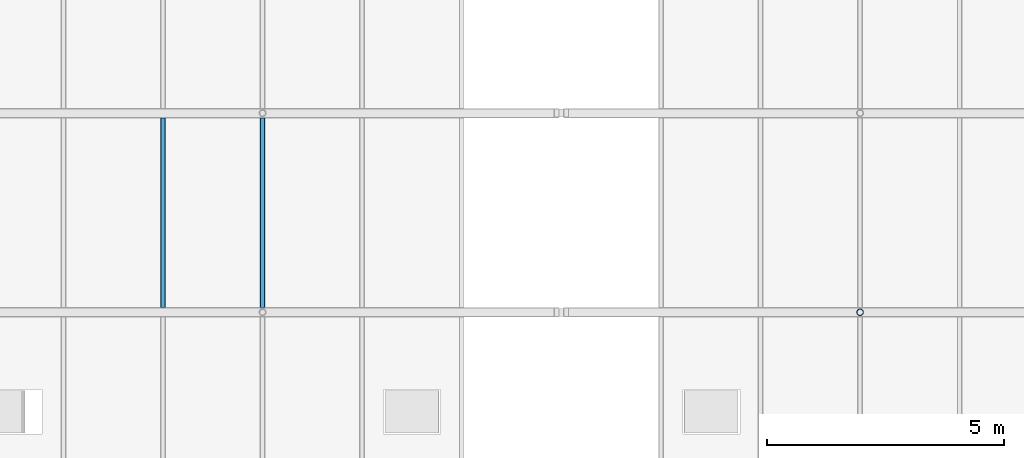
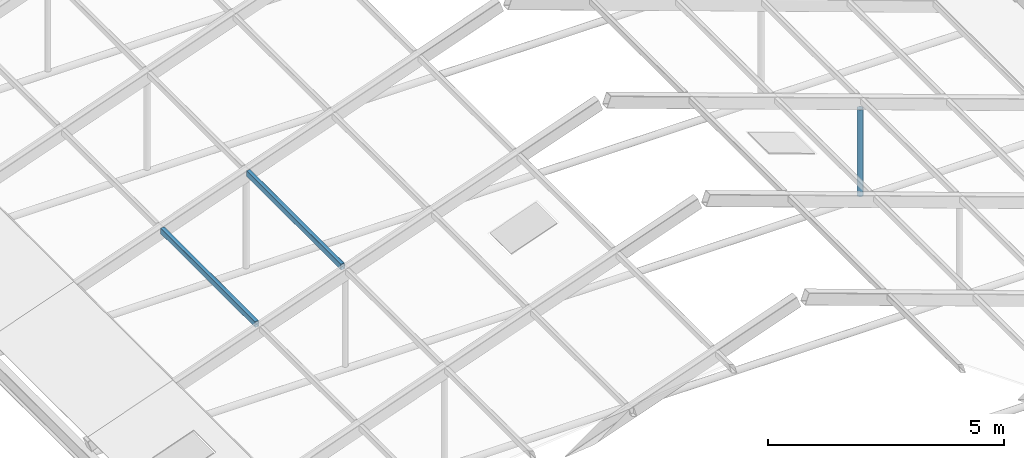
# One storey, part 47 of 116: 3 members.
"""IFC4 building model written with IfcOpenShell, lengths in metres."""

import ifcopenshell
import ifcopenshell.guid

model = None  # the IFC model being written
_history = None  # IfcOwnerHistory: only IFC2X3 demands one
_inside = {}  # id of a spatial element -> (the spatial element, [elements in it])
_under = {}  # id of a project, library or spatial element -> (it, [spatial elements below it])
_declared = {}  # id of a project -> (the project, [libraries it declares])
_typed = {}  # id of a type object -> (the type object, [elements of that type])
_made_of = {}  # id of a material, layer set ... -> (it, [elements and type objects made of it])


def new_model(schema):
    """Start an empty IFC model of exactly this schema.

    Asked for "IFC4X3", IfcOpenShell would pick the latest addendum, in which some entities
    have other attributes; the version numbers below select the first issue.
    IFC2X3 requires an IfcOwnerHistory on every rooted entity: one is made here for all.
    """
    global model, _history
    if schema == "IFC4X3":
        model = ifcopenshell.file(schema_version=(4, 3, 0, 0))
    else:
        model = ifcopenshell.file(schema=schema)
    _inside.clear()
    _under.clear()
    _declared.clear()
    _typed.clear()
    _made_of.clear()
    _history = None
    if model.schema == "IFC2X3":
        org = make("IfcOrganization", Name="unknown")
        user = make(
            "IfcPersonAndOrganization",
            ThePerson=make("IfcPerson", FamilyName="unknown"),
            TheOrganization=org,
        )
        app = make(
            "IfcApplication",
            ApplicationDeveloper=org,
            Version="unknown",
            ApplicationFullName="unknown",
            ApplicationIdentifier="unknown",
        )
        _history = make(
            "IfcOwnerHistory",
            OwningUser=user,
            OwningApplication=app,
            ChangeAction="ADDED",
            CreationDate=0,
        )
    return model


def make(cls, **values):
    """One entity of the class cls with the attributes given. An attribute that is None is left unset."""
    return model.create_entity(
        cls, **{name: value for name, value in values.items() if value is not None}
    )


def rooted(cls, **values):
    """An entity with a GlobalId (a new one), such as an element, a storey or a relation."""
    return make(cls, GlobalId=ifcopenshell.guid.new(), OwnerHistory=_history, **values)


def si_unit(unit_type, name, prefix=None):
    """IfcSIUnit, for example si_unit("LENGTHUNIT", "METRE", prefix="MILLI")."""
    return make("IfcSIUnit", UnitType=unit_type, Prefix=prefix, Name=name)


def assignment(units):
    """IfcUnitAssignment: the units of a project."""
    return None if units is None else make("IfcUnitAssignment", Units=units)


def point(xyz):
    """IfcCartesianPoint."""
    return None if xyz is None else make("IfcCartesianPoint", Coordinates=xyz)


def direction(xyz):
    """IfcDirection."""
    return None if xyz is None else make("IfcDirection", DirectionRatios=xyz)


def frame(location, z_axis=None, x_axis=None):
    """IfcAxis2Placement3D, a coordinate frame: its origin and axes. An axis left out is left unset."""
    return make(
        "IfcAxis2Placement3D",
        Location=point(location),
        Axis=direction(z_axis),
        RefDirection=direction(x_axis),
    )


def frame_2d(location, x_axis=None):
    """IfcAxis2Placement2D, a coordinate frame in the plane: its origin and x axis."""
    return make(
        "IfcAxis2Placement2D", Location=point(location), RefDirection=direction(x_axis)
    )


def origin():
    """The frame at (0, 0, 0) with its axes left unset."""
    return frame((0.0, 0.0, 0.0))


def origin_2d():
    """The frame at (0, 0) in the plane with its x axis left unset."""
    return frame_2d((0.0, 0.0))


def place(relative_to, where):
    """IfcLocalPlacement: puts the frame where relative to a parent placement (None: the world)."""
    return make(
        "IfcLocalPlacement", PlacementRelTo=relative_to, RelativePlacement=where
    )


def context(
    kind, dimensions, precision=None, world=None, true_north=None, identifier=None
):
    """IfcGeometricRepresentationContext, for example the 3D "Model" context."""
    return make(
        "IfcGeometricRepresentationContext",
        ContextIdentifier=identifier,
        ContextType=kind,
        CoordinateSpaceDimension=dimensions,
        Precision=precision,
        WorldCoordinateSystem=world,
        TrueNorth=true_north,
    )


def subcontext(parent, identifier, kind, view, scale=None):
    """IfcGeometricRepresentationSubContext, for example "Body" below "Model"."""
    return make(
        "IfcGeometricRepresentationSubContext",
        ContextIdentifier=identifier,
        ContextType=kind,
        ParentContext=parent,
        TargetScale=scale,
        TargetView=view,
    )


def project(units=None, contexts=None):
    """IfcProject with its units and contexts."""
    return rooted(
        "IfcProject",
        Name="project",
        RepresentationContexts=contexts,
        UnitsInContext=assignment(units),
    )


def spatial(cls, under=None, at=None, **own):
    """A site, building, storey or space (cls), placed at a placement, below another one or the project."""
    s = rooted(cls, ObjectPlacement=at, **own)
    if under is not None:
        _under.setdefault(under.id(), (under, []))[1].append(s)
    return s


def profile(cls, at=None, kind="AREA", **sizes):
    """A parametric profile (cls). Its sizes go by their IFC names, for example OverallWidth=200.0."""
    return make(cls, ProfileType=kind, Position=at, **sizes)


def hollow_rectangle(**sizes):
    """IfcRectangleHollowProfileDef."""
    return profile("IfcRectangleHollowProfileDef", **sizes)


def hollow_circle(**sizes):
    """IfcCircleHollowProfileDef."""
    return profile("IfcCircleHollowProfileDef", **sizes)


def extrude(swept, where, along, depth):
    """IfcExtrudedAreaSolid: the profile swept, set in the frame where, extruded along a direction by depth."""
    return make(
        "IfcExtrudedAreaSolid",
        SweptArea=swept,
        Position=where,
        ExtrudedDirection=direction(along),
        Depth=depth,
    )


def shape(context_of_items, identifier, shape_type, items):
    """IfcShapeRepresentation: the items that make up one representation, for example the "Body"."""
    return make(
        "IfcShapeRepresentation",
        ContextOfItems=context_of_items,
        RepresentationIdentifier=identifier,
        RepresentationType=shape_type,
        Items=items,
    )


def material(Name=None, Category=None):
    """IfcMaterial."""
    return make("IfcMaterial", Name=Name, Category=Category)


def material_profile(
    of_material, cross_section, Name=None, Category=None, Priority=None
):
    """IfcMaterialProfile: a cross section and its material."""
    return make(
        "IfcMaterialProfile",
        Name=Name,
        Material=of_material,
        Profile=cross_section,
        Priority=Priority,
        Category=Category,
    )


def profile_set(profiles, Name=None, composite=None):
    """IfcMaterialProfileSet."""
    return make(
        "IfcMaterialProfileSet",
        Name=Name,
        MaterialProfiles=profiles,
        CompositeProfile=composite,
    )


def made_of(thing, what):
    """Note that an element or type object is made of a material, layer set ...; save() writes the relation."""
    if what is not None:
        _made_of.setdefault(what.id(), (what, []))[1].append(thing)
    return thing


def type_object(cls, material=None, **own):
    """A type object (cls), such as IfcWallType, which elements share."""
    return made_of(rooted(cls, **own), material)


def element(
    cls,
    number,
    at=None,
    inside=None,
    cuts=None,
    type_object=None,
    material=None,
    context=None,
    identifier="Body",
    shape_type=None,
    held_by="IfcProductDefinitionShape",
    body=None,
    shapes=None,
    **own,
):
    """One element of the class cls, such as IfcWall. Its Tag is "e" and its number.

    at: its placement. inside: the storey or other place that contains it. cuts: it is an
    opening in that element (IfcRelVoidsElement). A single representation is given by context,
    identifier, shape_type and body (its items); several are given by shapes. held_by: the class
    of the entity that holds the representations. save() writes the other relations.
    """
    e = rooted(cls, Tag="e%d" % number, ObjectPlacement=at, **own)
    if body is not None:
        shapes = [shape(context, identifier, shape_type, body)]
    if shapes is not None:
        e.Representation = make(held_by, Representations=shapes)
    if inside is not None:
        _inside.setdefault(inside.id(), (inside, []))[1].append(e)
    if cuts is not None:
        rooted(
            "IfcRelVoidsElement", RelatingBuildingElement=cuts, RelatedOpeningElement=e
        )
    if type_object is not None:
        _typed.setdefault(type_object.id(), (type_object, []))[1].append(e)
    return made_of(e, material)


def aggregate(whole, parts):
    """IfcRelAggregates: a whole, such as a stair, and the parts it consists of."""
    return rooted("IfcRelAggregates", RelatingObject=whole, RelatedObjects=parts)


def save(model, path):
    """Write the relations noted so far, then the file.

    IfcRelAggregates (storeys below a building ...), IfcRelContainedInSpatialStructure (elements
    in a storey), IfcRelDefinesByType, IfcRelAssociatesMaterial and IfcRelDeclares: one each for
    every whole, place, type object, material and project.
    """
    for whole, parts in _under.values():
        aggregate(whole, parts)
    for where, things in _inside.values():
        rooted(
            "IfcRelContainedInSpatialStructure",
            RelatedElements=things,
            RelatingStructure=where,
        )
    for kind, things in _typed.values():
        rooted("IfcRelDefinesByType", RelatedObjects=things, RelatingType=kind)
    for what, things in _made_of.values():
        rooted("IfcRelAssociatesMaterial", RelatedObjects=things, RelatingMaterial=what)
    for by, libraries in _declared.values():
        rooted("IfcRelDeclares", RelatingContext=by, RelatedDefinitions=libraries)
    model.write(path)


model = new_model("IFC4")

# Units and contexts
model_context = context("Model", 3, precision=1e-05, world=origin(), true_north=direction((0.0, 1.0)))
body_context = subcontext(model_context, "Body", "Model", "MODEL_VIEW")
ifc_project = project(units=[si_unit("LENGTHUNIT", "METRE"), si_unit("AREAUNIT", "SQUARE_METRE"), si_unit("VOLUMEUNIT", "CUBIC_METRE"), si_unit("PLANEANGLEUNIT", "RADIAN"), si_unit("MASSUNIT", "GRAM", prefix="KILO")], contexts=[model_context])

# Site, building, storey
site_placement = place(None, origin())
site = spatial("IfcSite", under=ifc_project, at=site_placement, CompositionType="ELEMENT")
building_placement = place(site_placement, origin())
building = spatial("IfcBuilding", under=site, at=building_placement, Name="Fescue Hill Polytechnic", CompositionType="ELEMENT")
storey_placement = place(building_placement, frame((0.0, 0.0, 13.5)))
storey = spatial("IfcBuildingStorey", under=building, at=storey_placement, Name="L03", CompositionType="ELEMENT", Elevation=13.5)

# Members
ifc_material = material(Name="Steel 350W (350 MPa)", Category="steel")
ifc_material_profile_1 = material_profile(ifc_material, hollow_rectangle(XDim=0.1015625, YDim=0.15234375, WallThickness=0.00634765625, InnerFilletRadius=0.00634765625, OuterFilletRadius=0.0126953125, at=origin_2d()), Name="Winter garden glazing purlin HSS 152x102x6.4")
ifc_profile_set_1 = profile_set([ifc_material_profile_1], Name="Steel 350W (350 MPa)")
member_type_1 = type_object("IfcMemberType", Name="Winter garden glazing purlin HSS 152x102x6.4", PredefinedType="PURLIN", material=ifc_profile_set_1)
for number, where, z_axis, x_axis, name in (
    (1, (96.599853515625, 71.501708984375, 2.164306640625), (0.0, 1.0, 0.0), (-1.0, 0.0, 0.0), "Winter garden glazing purlin W2 bay 6"),
    (2, (98.69970703125, 71.501708984375, 2.914306640625), (0.0, 1.0, 0.0), (-1.0, 0.0, 0.0), "Winter garden glazing purlin W3 bay 6"),
):
    element("IfcMember", number, at=place(storey_placement, frame(where, z_axis=z_axis, x_axis=x_axis)), inside=storey, type_object=member_type_1, Name=name, PredefinedType="PURLIN", context=body_context, shape_type="SweptSolid", body=[
        extrude(hollow_rectangle(XDim=0.1015625, YDim=0.15234375, WallThickness=0.00634765625, InnerFilletRadius=0.00634765625, OuterFilletRadius=0.0126953125, at=origin_2d()), origin(), (0.0, 0.0, 1.0), 3.99658203125),
    ])
ifc_material_profile_2 = material_profile(ifc_material, hollow_circle(Radius=0.070556640625, WallThickness=0.00634765625, at=origin_2d()), Name="Winter garden queen post CHS 141x6.4")
ifc_profile_set_2 = profile_set([ifc_material_profile_2], Name="Steel 350W (350 MPa)")
member_type_2 = type_object("IfcMemberType", Name="Winter garden queen post CHS 141x6.4", PredefinedType="POST", material=ifc_profile_set_2)
member_placement = place(storey_placement, frame((111.300048828125, 71.39990234375, 0.4169921875), z_axis=(0.0, 0.0, 1.0), x_axis=(1.0, 0.0, 0.0)))
element("IfcMember", 3, at=member_placement, inside=storey, type_object=member_type_2, Name="Winter garden queen post 6B", PredefinedType="POST", context=body_context, shape_type="SweptSolid", body=[
    extrude(hollow_circle(Radius=0.070556640625, WallThickness=0.00634765625, at=origin_2d()), origin(), (0.0, 0.0, 1.0), 2.25),
])

save(model, "model.ifc")
